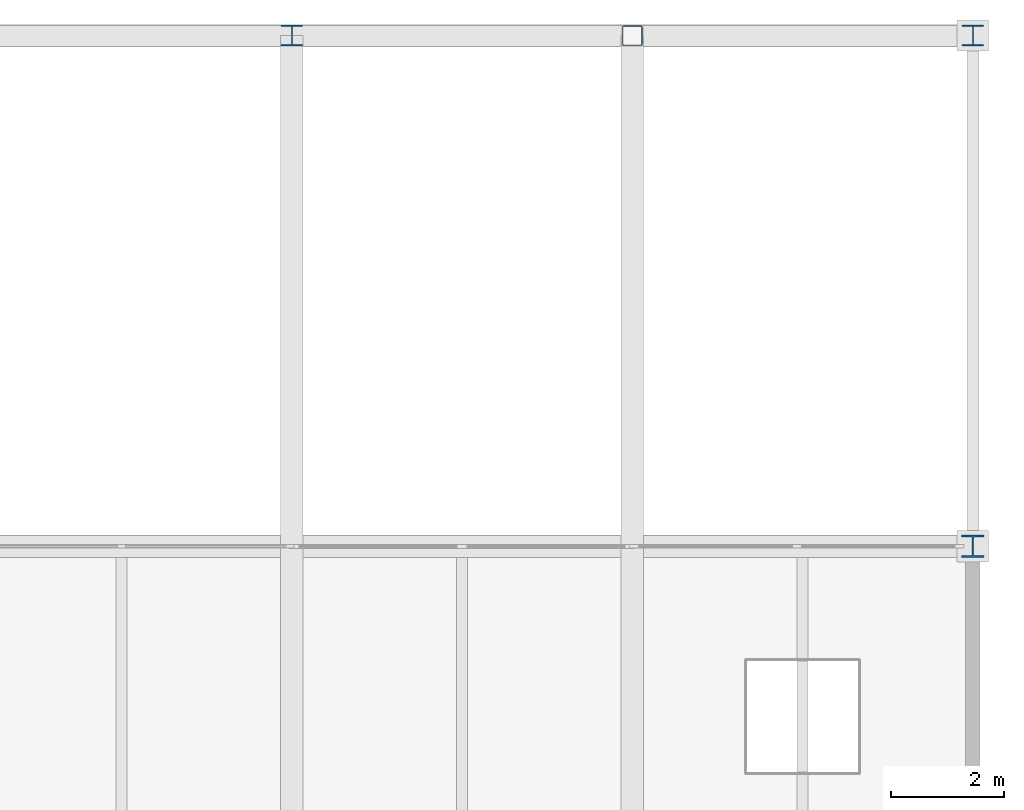
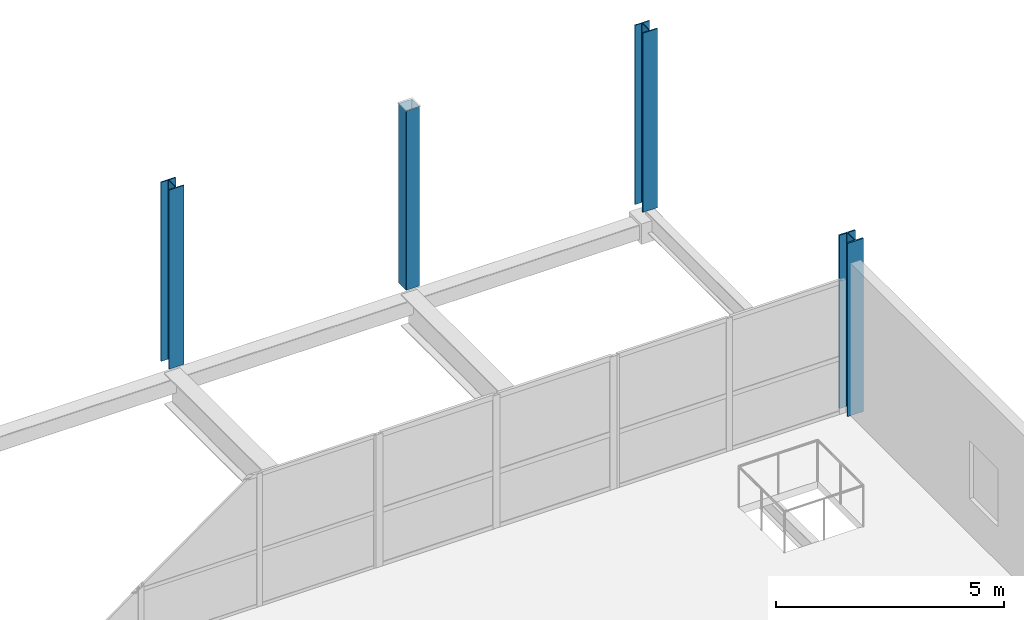
# One storey, part 9 of 69: 4 columns.
"""IFC4 building model written with IfcOpenShell, lengths in metres."""

from ifc_helpers import new_model, si_unit, direction, frame, origin, origin_2d, place, context, subcontext, project, spatial, hollow_rectangle, i_section, extrude, material, material_profile, profile_set, type_object, element, save


model = new_model("IFC4")

# Units and contexts
model_context = context("Model", 3, precision=1e-05, world=origin(), true_north=direction((0.0, 1.0)))
body_context = subcontext(model_context, "Body", "Model", "MODEL_VIEW")
ifc_project = project(units=[si_unit("LENGTHUNIT", "METRE"), si_unit("AREAUNIT", "SQUARE_METRE"), si_unit("VOLUMEUNIT", "CUBIC_METRE"), si_unit("PLANEANGLEUNIT", "RADIAN"), si_unit("MASSUNIT", "GRAM", prefix="KILO")], contexts=[model_context])

# Site, building, storey
site_placement = place(None, origin())
site = spatial("IfcSite", under=ifc_project, at=site_placement, CompositionType="ELEMENT")
building_placement = place(site_placement, origin())
building = spatial("IfcBuilding", under=site, at=building_placement, Name="Qamarlyn Nura Convention Centre", CompositionType="ELEMENT")
storey_placement = place(building_placement, frame((0.0, 0.0, 15.60009765625)))
storey = spatial("IfcBuildingStorey", under=building, at=storey_placement, Name="L03", CompositionType="ELEMENT", Elevation=15.60009765625)

# Columns
ifc_material_1 = material(Name="Steel ASTM A500 Grade C", Category="steel")
ifc_material_profile_1 = material_profile(ifc_material_1, hollow_rectangle(XDim=0.35009765625, YDim=0.35009765625, WallThickness=0.012451171875, InnerFilletRadius=0.012451171875, OuterFilletRadius=0.02490234375, at=origin_2d()), Name="HSS350X350X12.5")
ifc_profile_set_1 = profile_set([ifc_material_profile_1], Name="Steel ASTM A500 Grade C")
column_type_1 = type_object("IfcColumnType", Name="COL-HSS-2", PredefinedType="COLUMN", material=ifc_profile_set_1)
column_1_placement = place(storey_placement, frame((186.0, 126.0, 0.0), z_axis=(0.0, 0.0, 1.0), x_axis=(1.0, 0.0, 0.0)))
element("IfcColumn", 1, at=column_1_placement, inside=storey, type_object=column_type_1, Name="L03 column 17/Q", PredefinedType="COLUMN", context=body_context, shape_type="SweptSolid", body=[
    extrude(hollow_rectangle(XDim=0.35009765625, YDim=0.35009765625, WallThickness=0.012451171875, InnerFilletRadius=0.012451171875, OuterFilletRadius=0.02490234375, at=origin_2d()), origin(), (0.0, 0.0, 1.0), 4.7998046875),
])
ifc_material_2 = material(Name="Steel ASTM A992", Category="steel")
ifc_material_profile_2 = material_profile(ifc_material_2, i_section(OverallWidth=0.39892578125, OverallDepth=0.39306640625, WebThickness=0.022705078125, FlangeThickness=0.03662109375, FilletRadius=0.01806640625, at=origin_2d()), Name="W360X287")
ifc_profile_set_2 = profile_set([ifc_material_profile_2], Name="Steel ASTM A992")
column_type_2 = type_object("IfcColumnType", Name="COL-WING-1", PredefinedType="COLUMN", material=ifc_profile_set_2)
column_2_placement = place(storey_placement, frame((192.0, 117.0, 0.0), z_axis=(0.0, 0.0, 1.0), x_axis=(1.0, 0.0, 0.0)))
element("IfcColumn", 2, at=column_2_placement, inside=storey, type_object=column_type_2, Name="L03 column 18/P", PredefinedType="COLUMN", context=body_context, shape_type="SweptSolid", body=[
    extrude(i_section(OverallWidth=0.39892578125, OverallDepth=0.39306640625, WebThickness=0.022705078125, FlangeThickness=0.03662109375, FilletRadius=0.01806640625, at=origin_2d()), origin(), (0.0, 0.0, 1.0), 4.639892578125),
])
ifc_material_profile_3 = material_profile(ifc_material_2, i_section(OverallWidth=0.3740234375, OverallDepth=0.3720703125, WebThickness=0.016357421875, FlangeThickness=0.026123046875, FilletRadius=0.01611328125, at=origin_2d()), Name="W360X196")
ifc_profile_set_3 = profile_set([ifc_material_profile_3], Name="Steel ASTM A992")
column_type_3 = type_object("IfcColumnType", Name="COL-WING-2", PredefinedType="COLUMN", material=ifc_profile_set_3)
for number, where, z_axis, x_axis, name in (
    (3, (180.0, 126.0, 0.0), (0.0, 0.0, 1.0), (1.0, 0.0, 0.0), "L03 column 16/Q"),
    (4, (192.0, 126.0, 0.0), (0.0, 0.0, 1.0), (1.0, 0.0, 0.0), "L03 column 18/Q"),
):
    element("IfcColumn", number, at=place(storey_placement, frame(where, z_axis=z_axis, x_axis=x_axis)), inside=storey, type_object=column_type_3, Name=name, PredefinedType="COLUMN", context=body_context, shape_type="SweptSolid", body=[
        extrude(i_section(OverallWidth=0.3740234375, OverallDepth=0.3720703125, WebThickness=0.016357421875, FlangeThickness=0.026123046875, FilletRadius=0.01611328125, at=origin_2d()), origin(), (0.0, 0.0, 1.0), 4.7998046875),
    ])

save(model, "model.ifc")
